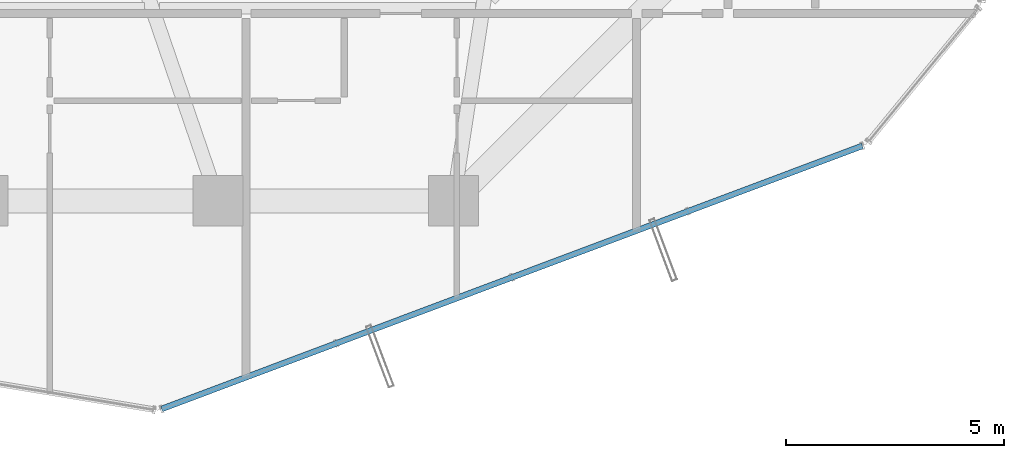
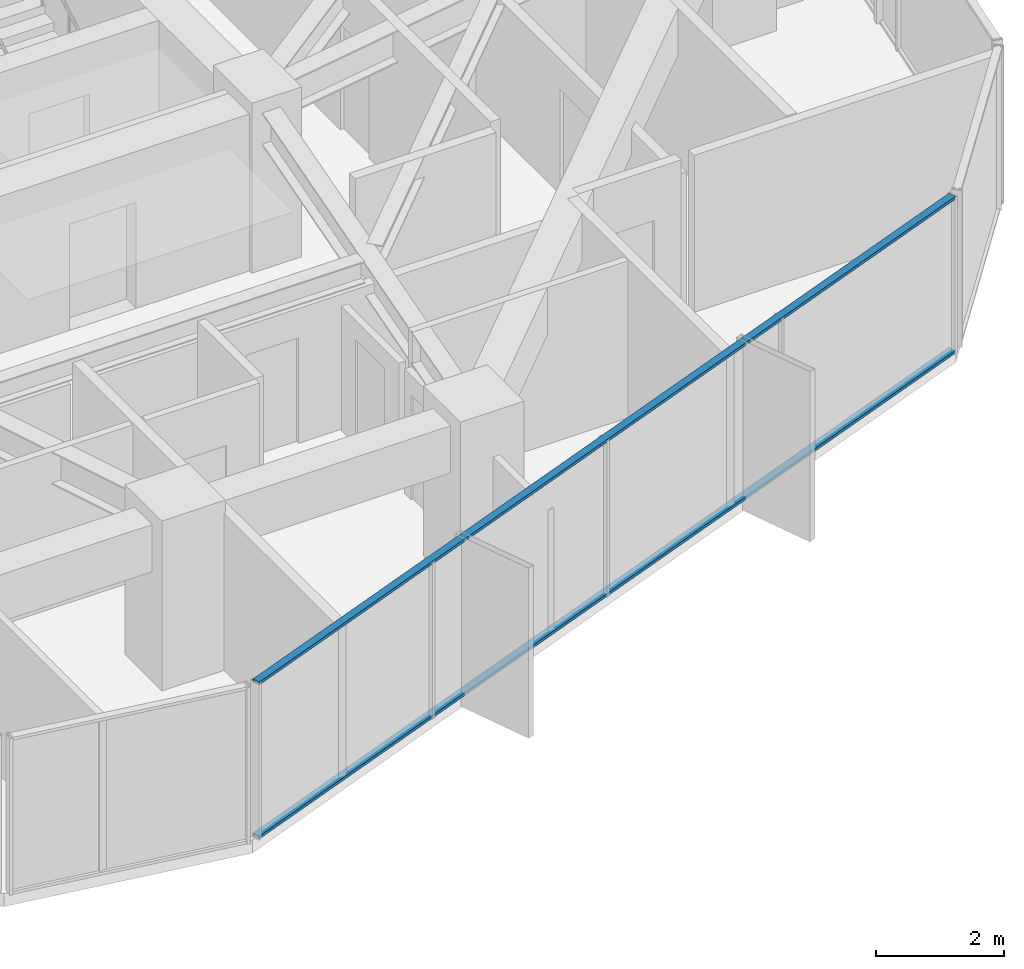
# One storey, part 7 of 30: 2 members, 1 element without a shape of its own.
"""IFC4 building model written with IfcOpenShell, lengths in metres."""

from ifc_helpers import new_model, si_unit, direction, frame, origin, origin_2d, place, context, subcontext, project, spatial, hollow_rectangle, extrude, source, transform, mapped, material, layer, layer_set, material_profile, profile_set, type_object, element, aggregate, save


model = new_model("IFC4")

# Units and contexts
model_context = context("Model", 3, precision=1e-05, world=origin(), true_north=direction((0.0, 1.0)))
body_context = subcontext(model_context, "Body", "Model", "MODEL_VIEW")
ifc_project = project(units=[si_unit("LENGTHUNIT", "METRE"), si_unit("AREAUNIT", "SQUARE_METRE"), si_unit("VOLUMEUNIT", "CUBIC_METRE"), si_unit("PLANEANGLEUNIT", "RADIAN"), si_unit("MASSUNIT", "GRAM", prefix="KILO")], contexts=[model_context])

# Site, building, storey
site_placement = place(None, origin())
site = spatial("IfcSite", under=ifc_project, at=site_placement, CompositionType="ELEMENT")
building_placement = place(site_placement, origin())
building = spatial("IfcBuilding", under=site, at=building_placement, Name="Veraguas Prism Commons", CompositionType="ELEMENT")
storey_placement = place(building_placement, frame((0.0, 0.0, 95.949951171875)))
storey = spatial("IfcBuildingStorey", under=building, at=storey_placement, Name="L26", CompositionType="ELEMENT", Elevation=95.949951171875)

# Curtain wall, members
ifc_material = material(Name="Anodised aluminium EN AW-6063 T6", Category="aluminium")
ifc_layer = layer(ifc_material, 0.169921875, Name="Unitised Flush Curtain Wall Zone 2", Category="aluminium")
ifc_layer_set = layer_set([ifc_layer], Name="Anodised aluminium EN AW-6063 T6")
curtain_wall_type = type_object("IfcCurtainWallType", Name="Unitised Flush Curtain Wall Zone 2", PredefinedType="NOTDEFINED", material=ifc_layer_set)
curtain_wall_placement = place(storey_placement, origin())
curtain_wall = element("IfcCurtainWall", 1, at=curtain_wall_placement, inside=storey, type_object=curtain_wall_type, Name="Tower Facade Curtain Wall L26-F5", PredefinedType="NOTDEFINED")
ifc_material_profile = material_profile(ifc_material, hollow_rectangle(XDim=0.054931640625, YDim=0.135009765625, WallThickness=0.0029296875, at=origin_2d()), Name="AL55X135X3")
ifc_profile_set = profile_set([ifc_material_profile], Name="Anodised aluminium EN AW-6063 T6")
member_type = type_object("IfcMemberType", Name="Curtain Wall Transom Standard AL 55x135x3", PredefinedType="USERDEFINED", material=ifc_profile_set)
shared_shape = source(origin(), body_context, "Body", "SweptSolid", [
    extrude(hollow_rectangle(XDim=0.054931640625, YDim=0.135009765625, WallThickness=0.0029296875, at=origin_2d()), origin(), (0.0, 0.0, 1.0), 17.17431640625),
])
member_1_placement = place(storey_placement, frame((22.703857421875, 3.023193359375, 0.027587890625), z_axis=(0.936181293766, 0.351517546081, 0.0), x_axis=(0.0, 0.0, 1.0)))
member_1 = element("IfcMember", 2, at=member_1_placement, type_object=member_type, Name="CW-Z2 Transom 1", ObjectType="TRANSOM", PredefinedType="USERDEFINED", context=body_context, shape_type="MappedRepresentation", body=[
    mapped(shared_shape, transform((0.0, 0.0, 0.0), scale=1.0)),
])
member_2_placement = place(storey_placement, frame((22.703857421875, 3.023193359375, 2.97265625), z_axis=(0.936181293766, 0.351517546081, 0.0), x_axis=(0.0, 0.0, 1.0)))
member_2 = element("IfcMember", 3, at=member_2_placement, type_object=member_type, Name="CW-Z2 Transom 2", ObjectType="TRANSOM", PredefinedType="USERDEFINED", context=body_context, shape_type="MappedRepresentation", body=[
    mapped(shared_shape, transform((0.0, 0.0, 0.0), scale=1.0)),
])
aggregate(curtain_wall, [member_1, member_2])

save(model, "model.ifc")
